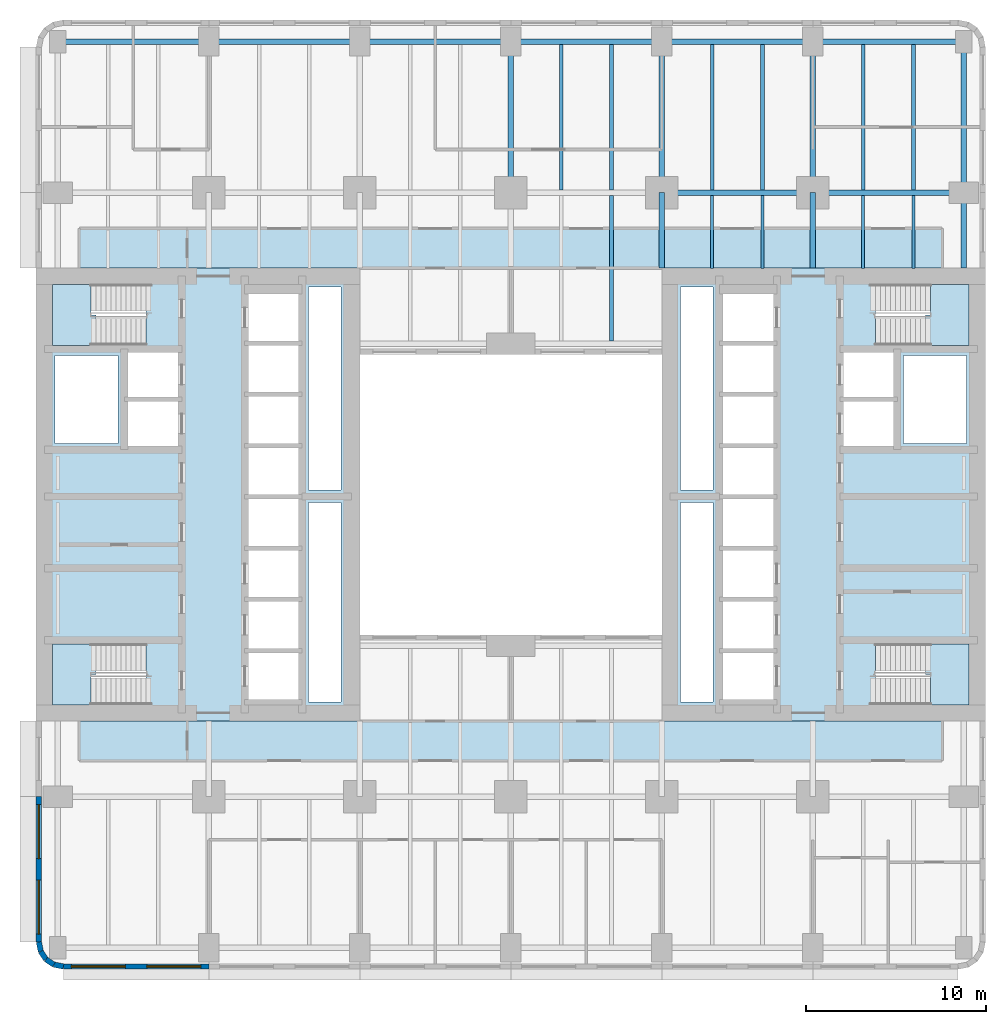
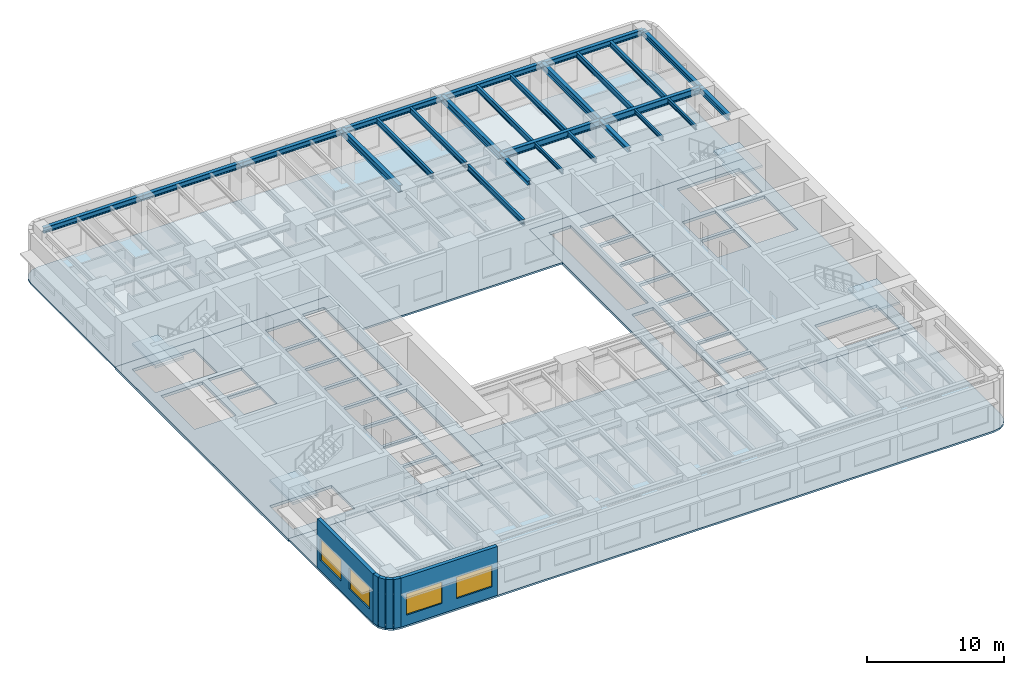
# One storey, part 2 of 14: 26 beams, 8 slabs, 6 walls, 4 windows, 4 openings, 4 elements without a shape of their own.
"""IFC4 building model written with IfcOpenShell, lengths in metres."""

from ifc_helpers import new_model, si_unit, direction, frame, frame_2d, origin, origin_2d, place, context, subcontext, project, spatial, polyline, rectangle, i_section, outline, extrude, material, layer, layer_set, material_profile, profile_set, type_object, element, fill, aggregate, save


model = new_model("IFC4")

# Units and contexts
model_context = context("Model", 3, precision=1e-05, world=origin(), true_north=direction((0.0, 1.0)))
body_context = subcontext(model_context, "Body", "Model", "MODEL_VIEW")
ifc_project = project(units=[si_unit("LENGTHUNIT", "METRE"), si_unit("AREAUNIT", "SQUARE_METRE"), si_unit("VOLUMEUNIT", "CUBIC_METRE"), si_unit("PLANEANGLEUNIT", "RADIAN"), si_unit("MASSUNIT", "GRAM", prefix="KILO")], contexts=[model_context])

# Site, building, storey
site_placement = place(None, origin())
site = spatial("IfcSite", under=ifc_project, at=site_placement, CompositionType="ELEMENT")
building_placement = place(site_placement, origin())
building = spatial("IfcBuilding", under=site, at=building_placement, Name="Claustro Exchange Tower", CompositionType="ELEMENT")
storey_placement = place(building_placement, frame((0.0, 0.0, 59.39990234375)))
storey = spatial("IfcBuildingStorey", under=building, at=storey_placement, Name="L13", CompositionType="ELEMENT", Elevation=59.39990234375)

# Beams
ifc_material_1 = material(Name="Steel S355", Category="steel")
ifc_material_profile_1 = material_profile(ifc_material_1, i_section(OverallWidth=0.300048828125, OverallDepth=0.60009765625, WebThickness=0.015380859375, FlangeThickness=0.030029296875, FilletRadius=0.027099609375, at=origin_2d()), Name="HE 600 B")
ifc_profile_set_1 = profile_set([ifc_material_profile_1], Name="Steel S355")
beam_type_1 = type_object("IfcBeamType", Name="B1 HE 600 B floor girder", PredefinedType="BEAM", material=ifc_profile_set_1)
for number, where, z_axis, x_axis, name in (
    (1, (25.199951171875, 42.0, 4.0400390625), (0.0, 1.0, 0.0), (-1.0, 0.0, 0.0), "Beam B1 L14"),
    (2, (33.60009765625, 42.0, 4.0400390625), (0.0, 1.0, 0.0), (-1.0, 0.0, 0.0), "Beam B1 L14"),
    (3, (42.0, 42.0, 4.0400390625), (0.0, 1.0, 0.0), (-1.0, 0.0, 0.0), "Beam B1 L14"),
    (4, (33.60009765625, 42.0, 4.0400390625), (1.0, 0.0, 0.0), (0.0, 1.0, 0.0), "Beam B1 L14"),
    (5, (42.0, 42.0, 4.0400390625), (1.0, 0.0, 0.0), (0.0, 1.0, 0.0), "Beam B1 L14"),
):
    element("IfcBeam", number, at=place(storey_placement, frame(where, z_axis=z_axis, x_axis=x_axis)), inside=storey, type_object=beam_type_1, Name=name, PredefinedType="BEAM", context=body_context, shape_type="SweptSolid", body=[
        extrude(i_section(OverallWidth=0.300048828125, OverallDepth=0.60009765625, WebThickness=0.015380859375, FlangeThickness=0.030029296875, FilletRadius=0.027099609375, at=origin_2d()), origin(), (0.0, 0.0, 1.0), 8.39990234375),
    ])
ifc_material_2 = material(Name="Steel S355", Category="steel")
ifc_material_profile_2 = material_profile(ifc_material_2, i_section(OverallWidth=0.169921875, OverallDepth=0.360107421875, WebThickness=0.008056640625, FlangeThickness=0.0126953125, FilletRadius=0.01806640625, at=origin_2d()), Name="IPE 360")
ifc_profile_set_2 = profile_set([ifc_material_profile_2], Name="Steel S355")
beam_type_2 = type_object("IfcBeamType", Name="B16 IPE 360 short-span beam", PredefinedType="BEAM", material=ifc_profile_set_2)
for number, where, z_axis, x_axis, name in (
    (6, (36.39990234375, 37.7900390625, 4.16015625), (0.0, 1.0, 0.0), (-1.0, 0.0, 0.0), "Beam B16 L14"),
    (7, (39.199951171875, 37.7900390625, 4.16015625), (0.0, 1.0, 0.0), (-1.0, 0.0, 0.0), "Beam B16 L14"),
    (8, (44.800048828125, 37.7900390625, 4.16015625), (0.0, 1.0, 0.0), (-1.0, 0.0, 0.0), "Beam B16 L14"),
    (9, (47.60009765625, 37.7900390625, 4.16015625), (0.0, 1.0, 0.0), (-1.0, 0.0, 0.0), "Beam B16 L14"),
):
    element("IfcBeam", number, at=place(storey_placement, frame(where, z_axis=z_axis, x_axis=x_axis)), inside=storey, type_object=beam_type_2, Name=name, PredefinedType="BEAM", context=body_context, shape_type="SweptSolid", body=[
        extrude(i_section(OverallWidth=0.169921875, OverallDepth=0.360107421875, WebThickness=0.008056640625, FlangeThickness=0.0126953125, FilletRadius=0.01806640625, at=origin_2d()), origin(), (0.0, 0.0, 1.0), 4.06005859375),
    ])
ifc_material_3 = material(Name="Steel S355", Category="steel")
ifc_material_profile_3 = material_profile(ifc_material_3, i_section(OverallWidth=0.199951171875, OverallDepth=0.5, WebThickness=0.01025390625, FlangeThickness=0.01611328125, FilletRadius=0.02099609375, at=origin_2d()), Name="IPE 500")
ifc_profile_set_3 = profile_set([ifc_material_profile_3], Name="Steel S355")
beam_type_3 = type_object("IfcBeamType", Name="B2 IPE 500 secondary beam", PredefinedType="BEAM", material=ifc_profile_set_3)
for number, where, z_axis, x_axis, name in (
    (10, (30.800048828125, 33.75, 4.090087890625), (0.0, 1.0, 0.0), (-1.0, 0.0, 0.0), "Beam B2 L14"),
    (11, (28.0, 42.14990234375, 4.090087890625), (0.0, 1.0, 0.0), (-1.0, 0.0, 0.0), "Beam B2 L14"),
    (12, (30.800048828125, 42.14990234375, 4.090087890625), (0.0, 1.0, 0.0), (-1.0, 0.0, 0.0), "Beam B2 L14"),
    (13, (36.39990234375, 42.14990234375, 4.090087890625), (0.0, 1.0, 0.0), (-1.0, 0.0, 0.0), "Beam B2 L14"),
    (14, (39.199951171875, 42.14990234375, 4.090087890625), (0.0, 1.0, 0.0), (-1.0, 0.0, 0.0), "Beam B2 L14"),
    (15, (44.800048828125, 42.14990234375, 4.090087890625), (0.0, 1.0, 0.0), (-1.0, 0.0, 0.0), "Beam B2 L14"),
    (16, (47.60009765625, 42.14990234375, 4.090087890625), (0.0, 1.0, 0.0), (-1.0, 0.0, 0.0), "Beam B2 L14"),
):
    element("IfcBeam", number, at=place(storey_placement, frame(where, z_axis=z_axis, x_axis=x_axis)), inside=storey, type_object=beam_type_3, Name=name, PredefinedType="BEAM", context=body_context, shape_type="SweptSolid", body=[
        extrude(i_section(OverallWidth=0.199951171875, OverallDepth=0.5, WebThickness=0.01025390625, FlangeThickness=0.01611328125, FilletRadius=0.02099609375, at=origin_2d()), origin(), (0.0, 0.0, 1.0), 8.10009765625),
    ])
ifc_material_4 = material(Name="Steel S355", Category="steel")
ifc_material_profile_4 = material_profile(ifc_material_4, i_section(OverallWidth=0.300048828125, OverallDepth=0.360107421875, WebThickness=0.012451171875, FlangeThickness=0.0224609375, FilletRadius=0.027099609375, at=origin_2d()), Name="HE 360 B")
ifc_profile_set_4 = profile_set([ifc_material_profile_4], Name="Steel S355")
beam_type_4 = type_object("IfcBeamType", Name="B29 HE 360 B column to core link beam", PredefinedType="BEAM", material=ifc_profile_set_4)
for number, where, z_axis, x_axis, name in (
    (17, (33.60009765625, 37.800048828125, 4.16015625), (0.0, 1.0, 0.0), (-1.0, 0.0, 0.0), "Beam B29 L14"),
    (18, (42.0, 37.800048828125, 4.16015625), (0.0, 1.0, 0.0), (-1.0, 0.0, 0.0), "Beam B29 L14"),
):
    element("IfcBeam", number, at=place(storey_placement, frame(where, z_axis=z_axis, x_axis=x_axis)), inside=storey, type_object=beam_type_4, Name=name, PredefinedType="BEAM", context=body_context, shape_type="SweptSolid", body=[
        extrude(i_section(OverallWidth=0.300048828125, OverallDepth=0.360107421875, WebThickness=0.012451171875, FlangeThickness=0.0224609375, FilletRadius=0.027099609375, at=origin_2d()), origin(), (0.0, 0.0, 1.0), 4.199951171875),
    ])
ifc_material_5 = material(Name="Steel S355", Category="steel")
ifc_material_profile_5 = material_profile(ifc_material_5, i_section(OverallWidth=0.300048828125, OverallDepth=0.5, WebThickness=0.014404296875, FlangeThickness=0.028076171875, FilletRadius=0.027099609375, at=origin_2d()), Name="HE 500 B")
ifc_profile_set_5 = profile_set([ifc_material_profile_5], Name="Steel S355")
beam_type_5 = type_object("IfcBeamType", Name="B3 HE 500 B spandrel edge girder", PredefinedType="SPANDREL", material=ifc_profile_set_5)
beam_1_placement = place(storey_placement, frame((50.39990234375, 37.800048828125, 4.090087890625), z_axis=(0.0, 1.0, 0.0), x_axis=(-1.0, 0.0, 0.0)))
element("IfcBeam", 19, at=beam_1_placement, inside=storey, type_object=beam_type_5, Name="Beam B3 L14", PredefinedType="SPANDREL", context=body_context, shape_type="SweptSolid", body=[
    extrude(i_section(OverallWidth=0.300048828125, OverallDepth=0.5, WebThickness=0.014404296875, FlangeThickness=0.028076171875, FilletRadius=0.027099609375, at=origin_2d()), origin(), (0.0, 0.0, 1.0), 4.199951171875),
])
for number, where, z_axis, x_axis, name in (
    (20, (50.39990234375, 42.0, 4.090087890625), (0.0, 1.0, 0.0), (-1.0, 0.0, 0.0), "Beam B3 L14"),
    (21, (0.0, 50.39990234375, 4.090087890625), (1.0, 0.0, 0.0), (0.0, 1.0, 0.0), "Beam B3 L14"),
):
    element("IfcBeam", number, at=place(storey_placement, frame(where, z_axis=z_axis, x_axis=x_axis)), inside=storey, type_object=beam_type_5, Name=name, PredefinedType="SPANDREL", context=body_context, shape_type="SweptSolid", body=[
        extrude(i_section(OverallWidth=0.300048828125, OverallDepth=0.5, WebThickness=0.014404296875, FlangeThickness=0.028076171875, FilletRadius=0.027099609375, at=origin_2d()), origin(), (0.0, 0.0, 1.0), 8.39990234375),
    ])
beam_2_placement = place(storey_placement, frame((8.39990234375, 50.39990234375, 4.090087890625), z_axis=(1.0, 0.0, 0.0), x_axis=(0.0, 1.0, 0.0)))
element("IfcBeam", 22, at=beam_2_placement, inside=storey, type_object=beam_type_5, Name="Beam B3 L14", PredefinedType="SPANDREL", context=body_context, shape_type="SweptSolid", body=[
    extrude(i_section(OverallWidth=0.300048828125, OverallDepth=0.5, WebThickness=0.014404296875, FlangeThickness=0.028076171875, FilletRadius=0.027099609375, at=origin_2d()), origin(), (0.0, 0.0, 1.0), 8.400146484375),
])
beam_3_placement = place(storey_placement, frame((16.800048828125, 50.39990234375, 4.090087890625), z_axis=(1.0, 0.0, 0.0), x_axis=(0.0, 1.0, 0.0)))
element("IfcBeam", 23, at=beam_3_placement, inside=storey, type_object=beam_type_5, Name="Beam B3 L14", PredefinedType="SPANDREL", context=body_context, shape_type="SweptSolid", body=[
    extrude(i_section(OverallWidth=0.300048828125, OverallDepth=0.5, WebThickness=0.014404296875, FlangeThickness=0.028076171875, FilletRadius=0.027099609375, at=origin_2d()), origin(), (0.0, 0.0, 1.0), 8.39990234375),
])
beam_4_placement = place(storey_placement, frame((25.199951171875, 50.39990234375, 4.090087890625), z_axis=(1.0, 0.0, 0.0), x_axis=(0.0, 1.0, 0.0)))
element("IfcBeam", 24, at=beam_4_placement, inside=storey, type_object=beam_type_5, Name="Beam B3 L14", PredefinedType="SPANDREL", context=body_context, shape_type="SweptSolid", body=[
    extrude(i_section(OverallWidth=0.300048828125, OverallDepth=0.5, WebThickness=0.014404296875, FlangeThickness=0.028076171875, FilletRadius=0.027099609375, at=origin_2d()), origin(), (0.0, 0.0, 1.0), 8.400146484375),
])
for number, where, z_axis, x_axis, name in (
    (25, (33.60009765625, 50.39990234375, 4.090087890625), (1.0, 0.0, 0.0), (0.0, 1.0, 0.0), "Beam B3 L14"),
    (26, (42.0, 50.39990234375, 4.090087890625), (1.0, 0.0, 0.0), (0.0, 1.0, 0.0), "Beam B3 L14"),
):
    element("IfcBeam", number, at=place(storey_placement, frame(where, z_axis=z_axis, x_axis=x_axis)), inside=storey, type_object=beam_type_5, Name=name, PredefinedType="SPANDREL", context=body_context, shape_type="SweptSolid", body=[
        extrude(i_section(OverallWidth=0.300048828125, OverallDepth=0.5, WebThickness=0.014404296875, FlangeThickness=0.028076171875, FilletRadius=0.027099609375, at=origin_2d()), origin(), (0.0, 0.0, 1.0), 8.39990234375),
    ])

# Slabs
ifc_material_6 = material(Name="Concrete HA-50 (C50/60)", Category="concrete")
ifc_layer_1 = layer(ifc_material_6, 0.159912109375)
ifc_layer_set_1 = layer_set([ifc_layer_1], Name="Concrete HA-50 (C50/60)")
slab_type_1 = type_object("IfcSlabType", Name="S1 160 composite floor slab", PredefinedType="FLOOR", material=ifc_layer_set_1)
slab_1_placement = place(storey_placement, frame((0.0, 0.0, -0.159912109375)))
element("IfcSlab", 27, at=slab_1_placement, inside=storey, type_object=slab_type_1, Name="Floor slab S1 S L13", PredefinedType="FLOOR", context=body_context, shape_type="SweptSolid", body=[
    extrude(outline(polyline([(-0.27392578125, -1.085693359375), (0.300048828125, -1.199951171875), (50.10009765625, -1.199951171875), (50.674072265625, -1.085693359375), (51.16064453125, -0.7607421875), (51.48583984375, -0.27392578125), (51.60009765625, 0.300048828125), (51.60009765625, 12.60009765625), (33.60009765625, 12.60009765625), (33.60009765625, 17.39990234375), (16.800048828125, 17.39990234375), (16.800048828125, 12.60009765625), (-1.199951171875, 12.60009765625), (-1.199951171875, 0.300048828125), (-1.085693359375, -0.27392578125), (-0.7607421875, -0.7607421875), (-0.27392578125, -1.085693359375)])), origin(), (0.0, 0.0, 1.0), 0.159912109375),
])
slab_2_placement = place(storey_placement, frame((0.0, 0.0, -0.159912109375)))
element("IfcSlab", 28, at=slab_2_placement, inside=storey, type_object=slab_type_1, Name="Floor slab S1 N L13", PredefinedType="FLOOR", context=body_context, shape_type="SweptSolid", body=[
    extrude(outline(polyline([(16.800048828125, 37.800048828125), (16.800048828125, 33.0), (33.60009765625, 33.0), (33.60009765625, 37.800048828125), (51.60009765625, 37.800048828125), (51.60009765625, 50.10009765625), (51.48583984375, 50.674072265625), (51.16064453125, 51.16064453125), (50.674072265625, 51.48583984375), (50.10009765625, 51.60009765625), (0.300048828125, 51.60009765625), (-0.27392578125, 51.48583984375), (-0.7607421875, 51.16064453125), (-1.085693359375, 50.674072265625), (-1.199951171875, 50.10009765625), (-1.199951171875, 37.800048828125), (16.800048828125, 37.800048828125)])), origin(), (0.0, 0.0, 1.0), 0.159912109375),
])
ifc_material_7 = material(Name="Concrete HA-50 (C50/60)", Category="concrete")
ifc_layer_2 = layer(ifc_material_7, 0.25)
ifc_layer_set_2 = layer_set([ifc_layer_2], Name="Concrete HA-50 (C50/60)")
slab_type_2 = type_object("IfcSlabType", Name="S7 250 core floor slab", PredefinedType="FLOOR", material=ifc_layer_set_2)
slab_3_placement = place(storey_placement, frame((0.0, 0.0, -0.25)))
element("IfcSlab", 29, at=slab_3_placement, inside=storey, type_object=slab_type_2, Name="Core floor slab S7 W core L13", PredefinedType="FLOOR", context=body_context, shape_type="SweptSolid", body=[
    extrude(outline(polyline([(-1.199951171875, 12.60009765625), (16.800048828125, 12.60009765625), (16.800048828125, 37.800048828125), (-1.199951171875, 37.800048828125), (-1.199951171875, 12.60009765625)]), holes=[polyline([(15.75, 24.75), (15.75, 13.64990234375), (13.949951171875, 13.64990234375), (13.949951171875, 24.75), (15.75, 24.75)]), polyline([(15.75, 36.75), (15.75, 25.449951171875), (13.949951171875, 25.449951171875), (13.949951171875, 36.75), (15.75, 36.75)]), polyline([(10.60009765625, 16.39990234375), (13.39990234375, 16.39990234375), (13.39990234375, 13.800048828125), (10.60009765625, 13.800048828125), (10.60009765625, 16.39990234375)]), polyline([(13.39990234375, 19.25), (13.39990234375, 16.64990234375), (10.60009765625, 16.64990234375), (10.60009765625, 19.25), (13.39990234375, 19.25)]), polyline([(13.39990234375, 22.10009765625), (13.39990234375, 19.5), (10.60009765625, 19.5), (10.60009765625, 22.10009765625), (13.39990234375, 22.10009765625)]), polyline([(13.39990234375, 24.949951171875), (13.39990234375, 22.35009765625), (10.60009765625, 22.35009765625), (10.60009765625, 24.949951171875), (13.39990234375, 24.949951171875)]), polyline([(13.39990234375, 27.800048828125), (13.39990234375, 25.199951171875), (10.60009765625, 25.199951171875), (10.60009765625, 27.800048828125), (13.39990234375, 27.800048828125)]), polyline([(13.39990234375, 30.64990234375), (13.39990234375, 28.050048828125), (10.60009765625, 28.050048828125), (10.60009765625, 30.64990234375), (13.39990234375, 30.64990234375)]), polyline([(13.39990234375, 33.5), (13.39990234375, 30.89990234375), (10.60009765625, 30.89990234375), (10.60009765625, 33.5), (13.39990234375, 33.5)]), polyline([(13.39990234375, 36.35009765625), (13.39990234375, 33.75), (10.60009765625, 33.75), (10.60009765625, 36.35009765625), (13.39990234375, 36.35009765625)]), polyline([(6.699951171875, 30.375), (6.699951171875, 27.89990234375), (3.89990234375, 27.89990234375), (3.89990234375, 30.375), (6.699951171875, 30.375)]), polyline([(6.699951171875, 33.10009765625), (6.699951171875, 30.625), (3.89990234375, 30.625), (3.89990234375, 33.10009765625), (6.699951171875, 33.10009765625)]), polyline([(-0.300048828125, 15.199951171875), (-0.300048828125, 16.89990234375), (4.9150390625, 16.89990234375), (4.9150390625, 15.199951171875), (4.919921875, 15.199951171875), (4.919921875, 13.5), (-0.300048828125, 13.5), (-0.300048828125, 15.199951171875)]), polyline([(-0.300048828125, 36.89990234375), (4.919921875, 36.89990234375), (4.919921875, 35.199951171875), (4.9150390625, 35.199951171875), (4.9150390625, 33.5), (-0.300048828125, 33.5), (-0.300048828125, 35.199951171875), (-0.300048828125, 36.89990234375)]), polyline([(3.35009765625, 32.949951171875), (3.35009765625, 28.050048828125), (-0.14990234375, 28.050048828125), (-0.14990234375, 32.949951171875), (3.35009765625, 32.949951171875)])]), origin(), (0.0, 0.0, 1.0), 0.25),
])
slab_4_placement = place(storey_placement, frame((0.0, 0.0, -0.25)))
element("IfcSlab", 30, at=slab_4_placement, inside=storey, type_object=slab_type_2, Name="Core floor slab S7 E core L13", PredefinedType="FLOOR", context=body_context, shape_type="SweptSolid", body=[
    extrude(outline(polyline([(33.60009765625, 12.60009765625), (51.60009765625, 12.60009765625), (51.60009765625, 37.800048828125), (33.60009765625, 37.800048828125), (33.60009765625, 12.60009765625)]), holes=[polyline([(45.47998046875, 35.199951171875), (45.47998046875, 36.89990234375), (50.699951171875, 36.89990234375), (50.699951171875, 35.199951171875), (50.699951171875, 33.5), (45.485107421875, 33.5), (45.485107421875, 35.199951171875), (45.47998046875, 35.199951171875)]), polyline([(45.485107421875, 15.199951171875), (45.485107421875, 16.89990234375), (50.699951171875, 16.89990234375), (50.699951171875, 15.199951171875), (50.699951171875, 13.5), (45.47998046875, 13.5), (45.47998046875, 15.199951171875), (45.485107421875, 15.199951171875)]), polyline([(50.550048828125, 32.949951171875), (50.550048828125, 28.050048828125), (47.050048828125, 28.050048828125), (47.050048828125, 32.949951171875), (50.550048828125, 32.949951171875)]), polyline([(46.5, 30.375), (46.5, 27.89990234375), (43.699951171875, 27.89990234375), (43.699951171875, 30.375), (46.5, 30.375)]), polyline([(46.5, 33.10009765625), (46.5, 30.625), (43.699951171875, 30.625), (43.699951171875, 33.10009765625), (46.5, 33.10009765625)]), polyline([(37.0, 16.39990234375), (39.800048828125, 16.39990234375), (39.800048828125, 13.800048828125), (37.0, 13.800048828125), (37.0, 16.39990234375)]), polyline([(39.800048828125, 19.25), (39.800048828125, 16.64990234375), (37.0, 16.64990234375), (37.0, 19.25), (39.800048828125, 19.25)]), polyline([(39.800048828125, 22.10009765625), (39.800048828125, 19.5), (37.0, 19.5), (37.0, 22.10009765625), (39.800048828125, 22.10009765625)]), polyline([(39.800048828125, 24.949951171875), (39.800048828125, 22.35009765625), (37.0, 22.35009765625), (37.0, 24.949951171875), (39.800048828125, 24.949951171875)]), polyline([(39.800048828125, 27.800048828125), (39.800048828125, 25.199951171875), (37.0, 25.199951171875), (37.0, 27.800048828125), (39.800048828125, 27.800048828125)]), polyline([(39.800048828125, 30.64990234375), (39.800048828125, 28.050048828125), (37.0, 28.050048828125), (37.0, 30.64990234375), (39.800048828125, 30.64990234375)]), polyline([(39.800048828125, 33.5), (39.800048828125, 30.89990234375), (37.0, 30.89990234375), (37.0, 33.5), (39.800048828125, 33.5)]), polyline([(39.800048828125, 36.35009765625), (39.800048828125, 33.75), (37.0, 33.75), (37.0, 36.35009765625), (39.800048828125, 36.35009765625)]), polyline([(36.449951171875, 24.75), (36.449951171875, 13.64990234375), (34.64990234375, 13.64990234375), (34.64990234375, 24.75), (36.449951171875, 24.75)]), polyline([(36.449951171875, 36.75), (36.449951171875, 25.449951171875), (34.64990234375, 25.449951171875), (34.64990234375, 36.75), (36.449951171875, 36.75)])]), origin(), (0.0, 0.0, 1.0), 0.25),
])

# Stair, slab
ifc_material_8 = material(Name="Concrete HA-30 (C30/37), precast", Category="concrete")
stair_type = type_object("IfcStairType", Name="ST2 half-turn stair, 25 risers of 180", PredefinedType="HALF_TURN_STAIR", material=ifc_material_8)
stair_1_placement = place(storey_placement, origin())
stair_1 = element("IfcStair", 31, at=stair_1_placement, inside=storey, type_object=stair_type, Name="Stair STWA L13", PredefinedType="HALF_TURN_STAIR")
ifc_material_9 = material(Name="Concrete HA-30 (C30/37), precast", Category="concrete")
ifc_layer_3 = layer(ifc_material_9, 0.199951171875)
ifc_layer_set_3 = layer_set([ifc_layer_3], Name="Concrete HA-30 (C30/37), precast")
slab_type_3 = type_object("IfcSlabType", Name="S9 200 stair landing", PredefinedType="LANDING", material=ifc_layer_set_3)
slab_5_placement = place(storey_placement, frame((0.0, 0.0, 2.14013671875)))
slab_5 = element("IfcSlab", 32, at=slab_5_placement, type_object=slab_type_3, Name="STWA landing 1", PredefinedType="LANDING", context=body_context, shape_type="SweptSolid", body=[
    extrude(outline(polyline([(1.844970703125, 13.5), (-0.300048828125, 13.5), (-0.300048828125, 16.89990234375), (1.840087890625, 16.89990234375), (1.844970703125, 16.89990234375), (2.1201171875, 16.89990234375), (2.1201171875, 15.199951171875), (1.844970703125, 15.199951171875), (1.844970703125, 13.5)])), origin(), (0.0, 0.0, 1.0), 0.199951171875),
])
aggregate(stair_1, [slab_5])

stair_2_placement = place(storey_placement, origin())
stair_2 = element("IfcStair", 33, at=stair_2_placement, inside=storey, type_object=stair_type, Name="Stair STWB L13", PredefinedType="HALF_TURN_STAIR")
slab_6_placement = place(storey_placement, frame((0.0, 0.0, 2.14013671875)))
slab_6 = element("IfcSlab", 34, at=slab_6_placement, type_object=slab_type_3, Name="STWB landing 1", PredefinedType="LANDING", context=body_context, shape_type="SweptSolid", body=[
    extrude(outline(polyline([(2.1201171875, 35.199951171875), (2.1201171875, 33.5), (1.844970703125, 33.5), (1.840087890625, 33.5), (-0.300048828125, 33.5), (-0.300048828125, 36.89990234375), (1.844970703125, 36.89990234375), (1.844970703125, 35.199951171875), (2.1201171875, 35.199951171875)])), origin(), (0.0, 0.0, 1.0), 0.199951171875),
])
aggregate(stair_2, [slab_6])

stair_3_placement = place(storey_placement, origin())
stair_3 = element("IfcStair", 35, at=stair_3_placement, inside=storey, type_object=stair_type, Name="Stair STEA L13", PredefinedType="HALF_TURN_STAIR")
slab_7_placement = place(storey_placement, frame((0.0, 0.0, 2.14013671875)))
slab_7 = element("IfcSlab", 36, at=slab_7_placement, type_object=slab_type_3, Name="STEA landing 1", PredefinedType="LANDING", context=body_context, shape_type="SweptSolid", body=[
    extrude(outline(polyline([(50.699951171875, 16.89990234375), (50.699951171875, 13.5), (48.554931640625, 13.5), (48.554931640625, 15.199951171875), (48.280029296875, 15.199951171875), (48.280029296875, 16.89990234375), (48.554931640625, 16.89990234375), (48.56005859375, 16.89990234375), (50.699951171875, 16.89990234375)])), origin(), (0.0, 0.0, 1.0), 0.199951171875),
])
aggregate(stair_3, [slab_7])

stair_4_placement = place(storey_placement, origin())
stair_4 = element("IfcStair", 37, at=stair_4_placement, inside=storey, type_object=stair_type, Name="Stair STEB L13", PredefinedType="HALF_TURN_STAIR")
slab_8_placement = place(storey_placement, frame((0.0, 0.0, 2.14013671875)))
slab_8 = element("IfcSlab", 38, at=slab_8_placement, type_object=slab_type_3, Name="STEB landing 1", PredefinedType="LANDING", context=body_context, shape_type="SweptSolid", body=[
    extrude(outline(polyline([(48.280029296875, 33.5), (48.280029296875, 35.199951171875), (48.554931640625, 35.199951171875), (48.554931640625, 36.89990234375), (50.699951171875, 36.89990234375), (50.699951171875, 33.5), (48.56005859375, 33.5), (48.554931640625, 33.5), (48.280029296875, 33.5)])), origin(), (0.0, 0.0, 1.0), 0.199951171875),
])
aggregate(stair_4, [slab_8])

# Wall, openings, windows
ifc_material_10 = material(Name="Concrete HA-40 (C40/50), precast, white cement, acid-etched", Category="concrete")
ifc_layer_4 = layer(ifc_material_10, 0.300048828125)
ifc_layer_set_4 = layer_set([ifc_layer_4], Name="Concrete HA-40 (C40/50), precast, white cement, acid-etched")
wall_type = type_object("IfcWallType", Name="PC1 300 precast concrete pier panel", PredefinedType="SOLIDWALL", material=ifc_layer_set_4)
wall_1_placement = place(storey_placement, frame((8.39990234375, -1.050048828125, 0.0), z_axis=(0.0, 0.0, 1.0), x_axis=(-1.0, 0.0, 0.0)))
wall_1 = element("IfcWall", 39, at=wall_1_placement, inside=storey, type_object=wall_type, Name="Precast pier panel PC1 L13", PredefinedType="SOLIDWALL", context=body_context, shape_type="SweptSolid", body=[
    extrude(rectangle(XDim=8.085205078125, YDim=0.300048828125, at=frame_2d((4.04248046875, 0.0))), origin(), (0.0, 0.0, 1.0), 4.340087890625),
])
opening_1_placement = place(wall_1_placement, frame((0.442626953125, 0.0, 0.89990234375)))
opening_1 = element("IfcOpeningElement", 40, at=opening_1_placement, cuts=wall_1, Name="Opening W1", PredefinedType="OPENING", context=body_context, shape_type="SweptSolid", body=[
    extrude(rectangle(XDim=3.0, YDim=1.89990234375, at=frame_2d((1.5, 0.949951171875))), frame((0.0, 0.159912109375, 0.0), z_axis=(0.0, -1.0, 0.0), x_axis=(1.0, 0.0, 0.0)), (0.0, 0.0, 1.0), 0.320068359375),
])
opening_2_placement = place(wall_1_placement, frame((4.642578125, 0.0, 0.89990234375)))
opening_2 = element("IfcOpeningElement", 41, at=opening_2_placement, cuts=wall_1, Name="Opening W1", PredefinedType="OPENING", context=body_context, shape_type="SweptSolid", body=[
    extrude(rectangle(XDim=3.0, YDim=1.89990234375, at=frame_2d((1.5, 0.949951171875))), frame((0.0, 0.159912109375, 0.0), z_axis=(0.0, -1.0, 0.0), x_axis=(1.0, 0.0, 0.0)), (0.0, 0.0, 1.0), 0.320068359375),
])
ifc_material_11 = material(Name="Aluminium frame, clear double glazing", Category="aluminium")
window_type = type_object("IfcWindowType", Name="W1 3000 x 1900 window", PartitioningType="SINGLE_PANEL", PredefinedType="WINDOW", material=ifc_material_11)
window_1_placement = place(opening_1_placement, origin())
window_1 = element("IfcWindow", 42, at=window_1_placement, inside=storey, type_object=window_type, Name="Window W1 L13", OverallHeight=1.89990234375, OverallWidth=3.0, PartitioningType="SINGLE_PANEL", PredefinedType="WINDOW", context=body_context, shape_type="SweptSolid", body=[
    extrude(rectangle(XDim=3.0, YDim=1.89990234375, at=frame_2d((1.5, 0.949951171875))), frame((0.0, 0.030029296875, 0.0), z_axis=(0.0, -1.0, 0.0), x_axis=(1.0, 0.0, 0.0)), (0.0, 0.0, 1.0), 0.06005859375),
])
fill(opening_1, window_1)
window_2_placement = place(opening_2_placement, origin())
window_2 = element("IfcWindow", 43, at=window_2_placement, inside=storey, type_object=window_type, Name="Window W1 L13", OverallHeight=1.89990234375, OverallWidth=3.0, PartitioningType="SINGLE_PANEL", PredefinedType="WINDOW", context=body_context, shape_type="SweptSolid", body=[
    extrude(rectangle(XDim=3.0, YDim=1.89990234375, at=frame_2d((1.5, 0.949951171875))), frame((0.0, 0.030029296875, 0.0), z_axis=(0.0, -1.0, 0.0), x_axis=(1.0, 0.0, 0.0)), (0.0, 0.0, 1.0), 0.06005859375),
])
fill(opening_2, window_2)

# Walls
wall_2_placement = place(storey_placement, frame((0.314697265625, -1.050048828125, 0.0), z_axis=(0.0, 0.0, 1.0), x_axis=(-0.980788534345, 0.195073962632, 0.0)))
element("IfcWall", 44, at=wall_2_placement, inside=storey, type_object=wall_type, Name="Precast pier panel PC1 L13", PredefinedType="SOLIDWALL", context=body_context, shape_type="SweptSolid", body=[
    extrude(rectangle(XDim=0.540771484375, YDim=0.300048828125, at=frame_2d((0.2705078125, 0.0))), origin(), (0.0, 0.0, 1.0), 4.340087890625),
])
for number, where, z_axis, x_axis, name in (
    (45, (-0.215576171875, -0.944580078125, 0.0), (0.0, 0.0, 1.0), (-0.831478144188, 0.555557463938, 0.0), "Precast pier panel PC1 L13"),
    (46, (-0.652587890625, -0.652587890625, 0.0), (0.0, 0.0, 1.0), (-0.555557463938, 0.831478144188, 0.0), "Precast pier panel PC1 L13"),
):
    element("IfcWall", number, at=place(storey_placement, frame(where, z_axis=z_axis, x_axis=x_axis)), inside=storey, type_object=wall_type, Name=name, PredefinedType="SOLIDWALL", context=body_context, shape_type="SweptSolid", body=[
        extrude(rectangle(XDim=0.525634765625, YDim=0.300048828125, at=frame_2d((0.2626953125, 0.0))), origin(), (0.0, 0.0, 1.0), 4.340087890625),
    ])
wall_3_placement = place(storey_placement, frame((-0.944580078125, -0.215576171875, 0.0), z_axis=(0.0, 0.0, 1.0), x_axis=(-0.195073962632, 0.980788534345, 0.0)))
element("IfcWall", 47, at=wall_3_placement, inside=storey, type_object=wall_type, Name="Precast pier panel PC1 L13", PredefinedType="SOLIDWALL", context=body_context, shape_type="SweptSolid", body=[
    extrude(rectangle(XDim=0.540771484375, YDim=0.300048828125, at=frame_2d((0.2705078125, 0.0))), origin(), (0.0, 0.0, 1.0), 4.340087890625),
])

# Wall, openings, windows
wall_4_placement = place(storey_placement, frame((-1.050048828125, 0.314697265625, 0.0), z_axis=(0.0, 0.0, 1.0), x_axis=(0.0, 1.0, 0.0)))
wall_4 = element("IfcWall", 48, at=wall_4_placement, inside=storey, type_object=wall_type, Name="Precast pier panel PC1 L13", PredefinedType="SOLIDWALL", context=body_context, shape_type="SweptSolid", body=[
    extrude(rectangle(XDim=8.085205078125, YDim=0.300048828125, at=frame_2d((4.04248046875, 0.0))), origin(), (0.0, 0.0, 1.0), 4.340087890625),
])
opening_3_placement = place(wall_4_placement, frame((0.442626953125, 0.0, 0.89990234375)))
opening_3 = element("IfcOpeningElement", 49, at=opening_3_placement, cuts=wall_4, Name="Opening W1", PredefinedType="OPENING", context=body_context, shape_type="SweptSolid", body=[
    extrude(rectangle(XDim=3.0, YDim=1.89990234375, at=frame_2d((1.5, 0.949951171875))), frame((0.0, 0.159912109375, 0.0), z_axis=(0.0, -1.0, 0.0), x_axis=(1.0, 0.0, 0.0)), (0.0, 0.0, 1.0), 0.320068359375),
])
opening_4_placement = place(wall_4_placement, frame((4.642578125, 0.0, 0.89990234375)))
opening_4 = element("IfcOpeningElement", 50, at=opening_4_placement, cuts=wall_4, Name="Opening W1", PredefinedType="OPENING", context=body_context, shape_type="SweptSolid", body=[
    extrude(rectangle(XDim=3.0, YDim=1.89990234375, at=frame_2d((1.5, 0.949951171875))), frame((0.0, 0.159912109375, 0.0), z_axis=(0.0, -1.0, 0.0), x_axis=(1.0, 0.0, 0.0)), (0.0, 0.0, 1.0), 0.320068359375),
])
window_3_placement = place(opening_3_placement, origin())
window_3 = element("IfcWindow", 51, at=window_3_placement, inside=storey, type_object=window_type, Name="Window W1 L13", OverallHeight=1.89990234375, OverallWidth=3.0, PartitioningType="SINGLE_PANEL", PredefinedType="WINDOW", context=body_context, shape_type="SweptSolid", body=[
    extrude(rectangle(XDim=3.0, YDim=1.89990234375, at=frame_2d((1.5, 0.949951171875))), frame((0.0, 0.030029296875, 0.0), z_axis=(0.0, -1.0, 0.0), x_axis=(1.0, 0.0, 0.0)), (0.0, 0.0, 1.0), 0.06005859375),
])
fill(opening_3, window_3)
window_4_placement = place(opening_4_placement, origin())
window_4 = element("IfcWindow", 52, at=window_4_placement, inside=storey, type_object=window_type, Name="Window W1 L13", OverallHeight=1.89990234375, OverallWidth=3.0, PartitioningType="SINGLE_PANEL", PredefinedType="WINDOW", context=body_context, shape_type="SweptSolid", body=[
    extrude(rectangle(XDim=3.0, YDim=1.89990234375, at=frame_2d((1.5, 0.949951171875))), frame((0.0, 0.030029296875, 0.0), z_axis=(0.0, -1.0, 0.0), x_axis=(1.0, 0.0, 0.0)), (0.0, 0.0, 1.0), 0.06005859375),
])
fill(opening_4, window_4)

save(model, "model.ifc")
